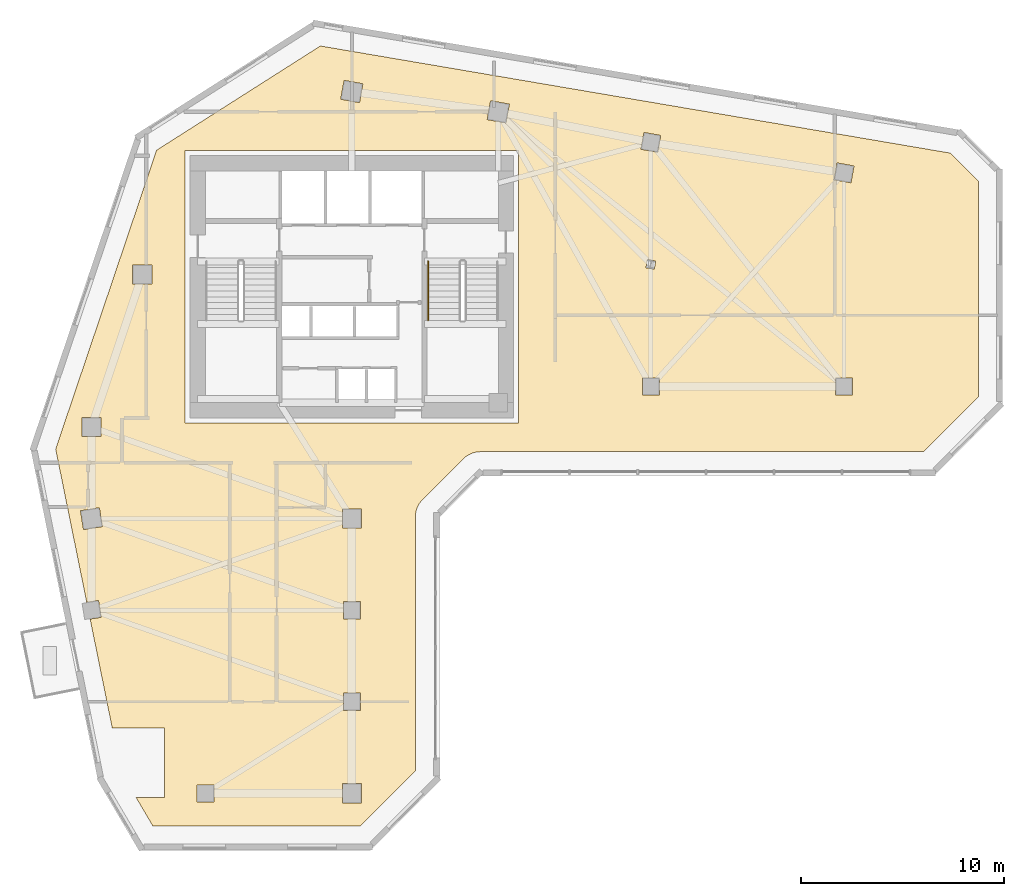
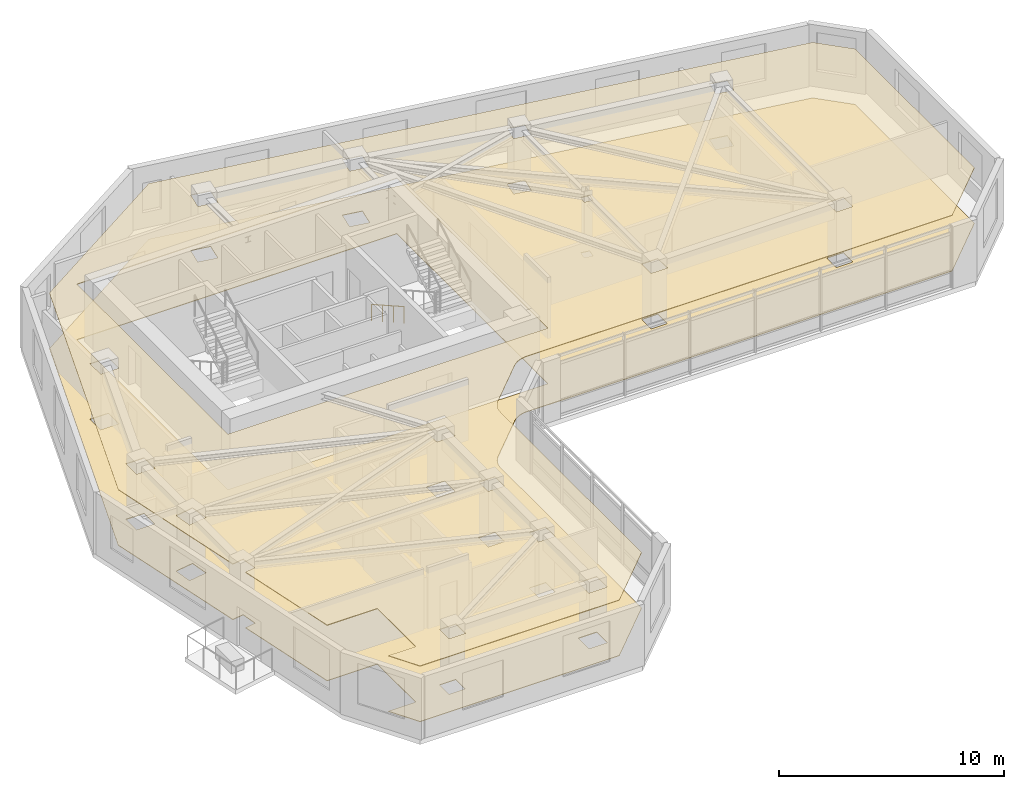
# One storey, part 9 of 10: 2 coverings, 1 railing.
"""IFC4 building model written with IfcOpenShell, lengths in metres."""

import ifcopenshell
import ifcopenshell.guid

model = None  # the IFC model being written
_history = None  # IfcOwnerHistory: only IFC2X3 demands one
_inside = {}  # id of a spatial element -> (the spatial element, [elements in it])
_under = {}  # id of a project, library or spatial element -> (it, [spatial elements below it])
_declared = {}  # id of a project -> (the project, [libraries it declares])
_typed = {}  # id of a type object -> (the type object, [elements of that type])
_made_of = {}  # id of a material, layer set ... -> (it, [elements and type objects made of it])


def new_model(schema):
    """Start an empty IFC model of exactly this schema.

    Asked for "IFC4X3", IfcOpenShell would pick the latest addendum, in which some entities
    have other attributes; the version numbers below select the first issue.
    IFC2X3 requires an IfcOwnerHistory on every rooted entity: one is made here for all.
    """
    global model, _history
    if schema == "IFC4X3":
        model = ifcopenshell.file(schema_version=(4, 3, 0, 0))
    else:
        model = ifcopenshell.file(schema=schema)
    _inside.clear()
    _under.clear()
    _declared.clear()
    _typed.clear()
    _made_of.clear()
    _history = None
    if model.schema == "IFC2X3":
        org = make("IfcOrganization", Name="unknown")
        user = make(
            "IfcPersonAndOrganization",
            ThePerson=make("IfcPerson", FamilyName="unknown"),
            TheOrganization=org,
        )
        app = make(
            "IfcApplication",
            ApplicationDeveloper=org,
            Version="unknown",
            ApplicationFullName="unknown",
            ApplicationIdentifier="unknown",
        )
        _history = make(
            "IfcOwnerHistory",
            OwningUser=user,
            OwningApplication=app,
            ChangeAction="ADDED",
            CreationDate=0,
        )
    return model


def make(cls, **values):
    """One entity of the class cls with the attributes given. An attribute that is None is left unset."""
    return model.create_entity(
        cls, **{name: value for name, value in values.items() if value is not None}
    )


def rooted(cls, **values):
    """An entity with a GlobalId (a new one), such as an element, a storey or a relation."""
    return make(cls, GlobalId=ifcopenshell.guid.new(), OwnerHistory=_history, **values)


def si_unit(unit_type, name, prefix=None):
    """IfcSIUnit, for example si_unit("LENGTHUNIT", "METRE", prefix="MILLI")."""
    return make("IfcSIUnit", UnitType=unit_type, Prefix=prefix, Name=name)


def assignment(units):
    """IfcUnitAssignment: the units of a project."""
    return None if units is None else make("IfcUnitAssignment", Units=units)


def point(xyz):
    """IfcCartesianPoint."""
    return None if xyz is None else make("IfcCartesianPoint", Coordinates=xyz)


def direction(xyz):
    """IfcDirection."""
    return None if xyz is None else make("IfcDirection", DirectionRatios=xyz)


def frame(location, z_axis=None, x_axis=None):
    """IfcAxis2Placement3D, a coordinate frame: its origin and axes. An axis left out is left unset."""
    return make(
        "IfcAxis2Placement3D",
        Location=point(location),
        Axis=direction(z_axis),
        RefDirection=direction(x_axis),
    )


def frame_2d(location, x_axis=None):
    """IfcAxis2Placement2D, a coordinate frame in the plane: its origin and x axis."""
    return make(
        "IfcAxis2Placement2D", Location=point(location), RefDirection=direction(x_axis)
    )


def origin():
    """The frame at (0, 0, 0) with its axes left unset."""
    return frame((0.0, 0.0, 0.0))


def origin_2d():
    """The frame at (0, 0) in the plane with its x axis left unset."""
    return frame_2d((0.0, 0.0))


def place(relative_to, where):
    """IfcLocalPlacement: puts the frame where relative to a parent placement (None: the world)."""
    return make(
        "IfcLocalPlacement", PlacementRelTo=relative_to, RelativePlacement=where
    )


def context(
    kind, dimensions, precision=None, world=None, true_north=None, identifier=None
):
    """IfcGeometricRepresentationContext, for example the 3D "Model" context."""
    return make(
        "IfcGeometricRepresentationContext",
        ContextIdentifier=identifier,
        ContextType=kind,
        CoordinateSpaceDimension=dimensions,
        Precision=precision,
        WorldCoordinateSystem=world,
        TrueNorth=true_north,
    )


def subcontext(parent, identifier, kind, view, scale=None):
    """IfcGeometricRepresentationSubContext, for example "Body" below "Model"."""
    return make(
        "IfcGeometricRepresentationSubContext",
        ContextIdentifier=identifier,
        ContextType=kind,
        ParentContext=parent,
        TargetScale=scale,
        TargetView=view,
    )


def project(units=None, contexts=None):
    """IfcProject with its units and contexts."""
    return rooted(
        "IfcProject",
        Name="project",
        RepresentationContexts=contexts,
        UnitsInContext=assignment(units),
    )


def spatial(cls, under=None, at=None, **own):
    """A site, building, storey or space (cls), placed at a placement, below another one or the project."""
    s = rooted(cls, ObjectPlacement=at, **own)
    if under is not None:
        _under.setdefault(under.id(), (under, []))[1].append(s)
    return s


def polyline(points):
    """IfcPolyline through the points."""
    return make("IfcPolyline", Points=[point(p) for p in points])


def profile(cls, at=None, kind="AREA", **sizes):
    """A parametric profile (cls). Its sizes go by their IFC names, for example OverallWidth=200.0."""
    return make(cls, ProfileType=kind, Position=at, **sizes)


def circle(**sizes):
    """IfcCircleProfileDef."""
    return profile("IfcCircleProfileDef", **sizes)


def outline(outer, holes=None, kind="AREA"):
    """IfcArbitraryClosedProfileDef: a profile drawn as a closed curve; with holes, ...WithVoids."""
    if holes is None:
        return make("IfcArbitraryClosedProfileDef", ProfileType=kind, OuterCurve=outer)
    return make(
        "IfcArbitraryProfileDefWithVoids",
        ProfileType=kind,
        OuterCurve=outer,
        InnerCurves=holes,
    )


def extrude(swept, where, along, depth):
    """IfcExtrudedAreaSolid: the profile swept, set in the frame where, extruded along a direction by depth."""
    return make(
        "IfcExtrudedAreaSolid",
        SweptArea=swept,
        Position=where,
        ExtrudedDirection=direction(along),
        Depth=depth,
    )


def shape(context_of_items, identifier, shape_type, items):
    """IfcShapeRepresentation: the items that make up one representation, for example the "Body"."""
    return make(
        "IfcShapeRepresentation",
        ContextOfItems=context_of_items,
        RepresentationIdentifier=identifier,
        RepresentationType=shape_type,
        Items=items,
    )


def material(Name=None, Category=None):
    """IfcMaterial."""
    return make("IfcMaterial", Name=Name, Category=Category)


def layer(
    of_material, thickness, ventilated=None, Name=None, Category=None, Priority=None
):
    """IfcMaterialLayer: one layer of a wall or slab, of a material (None: an air gap)."""
    return make(
        "IfcMaterialLayer",
        Material=of_material,
        LayerThickness=thickness,
        IsVentilated=ventilated,
        Name=Name,
        Category=Category,
        Priority=Priority,
    )


def layer_set(layers, Name=None):
    """IfcMaterialLayerSet."""
    return make("IfcMaterialLayerSet", MaterialLayers=layers, LayerSetName=Name)


def made_of(thing, what):
    """Note that an element or type object is made of a material, layer set ...; save() writes the relation."""
    if what is not None:
        _made_of.setdefault(what.id(), (what, []))[1].append(thing)
    return thing


def type_object(cls, material=None, **own):
    """A type object (cls), such as IfcWallType, which elements share."""
    return made_of(rooted(cls, **own), material)


def element(
    cls,
    number,
    at=None,
    inside=None,
    cuts=None,
    type_object=None,
    material=None,
    context=None,
    identifier="Body",
    shape_type=None,
    held_by="IfcProductDefinitionShape",
    body=None,
    shapes=None,
    **own,
):
    """One element of the class cls, such as IfcWall. Its Tag is "e" and its number.

    at: its placement. inside: the storey or other place that contains it. cuts: it is an
    opening in that element (IfcRelVoidsElement). A single representation is given by context,
    identifier, shape_type and body (its items); several are given by shapes. held_by: the class
    of the entity that holds the representations. save() writes the other relations.
    """
    e = rooted(cls, Tag="e%d" % number, ObjectPlacement=at, **own)
    if body is not None:
        shapes = [shape(context, identifier, shape_type, body)]
    if shapes is not None:
        e.Representation = make(held_by, Representations=shapes)
    if inside is not None:
        _inside.setdefault(inside.id(), (inside, []))[1].append(e)
    if cuts is not None:
        rooted(
            "IfcRelVoidsElement", RelatingBuildingElement=cuts, RelatedOpeningElement=e
        )
    if type_object is not None:
        _typed.setdefault(type_object.id(), (type_object, []))[1].append(e)
    return made_of(e, material)


def aggregate(whole, parts):
    """IfcRelAggregates: a whole, such as a stair, and the parts it consists of."""
    return rooted("IfcRelAggregates", RelatingObject=whole, RelatedObjects=parts)


def save(model, path):
    """Write the relations noted so far, then the file.

    IfcRelAggregates (storeys below a building ...), IfcRelContainedInSpatialStructure (elements
    in a storey), IfcRelDefinesByType, IfcRelAssociatesMaterial and IfcRelDeclares: one each for
    every whole, place, type object, material and project.
    """
    for whole, parts in _under.values():
        aggregate(whole, parts)
    for where, things in _inside.values():
        rooted(
            "IfcRelContainedInSpatialStructure",
            RelatedElements=things,
            RelatingStructure=where,
        )
    for kind, things in _typed.values():
        rooted("IfcRelDefinesByType", RelatedObjects=things, RelatingType=kind)
    for what, things in _made_of.values():
        rooted("IfcRelAssociatesMaterial", RelatedObjects=things, RelatingMaterial=what)
    for by, libraries in _declared.values():
        rooted("IfcRelDeclares", RelatingContext=by, RelatedDefinitions=libraries)
    model.write(path)


model = new_model("IFC4")

# Units and contexts
model_context = context("Model", 3, precision=1e-05, world=origin(), true_north=direction((0.0, 1.0)))
body_context = subcontext(model_context, "Body", "Model", "MODEL_VIEW")
ifc_project = project(units=[si_unit("LENGTHUNIT", "METRE"), si_unit("AREAUNIT", "SQUARE_METRE"), si_unit("VOLUMEUNIT", "CUBIC_METRE"), si_unit("PLANEANGLEUNIT", "RADIAN"), si_unit("MASSUNIT", "GRAM", prefix="KILO")], contexts=[model_context])

# Site, building, storey
site_placement = place(None, origin())
site = spatial("IfcSite", under=ifc_project, at=site_placement, CompositionType="ELEMENT")
building_placement = place(site_placement, origin())
building = spatial("IfcBuilding", under=site, at=building_placement, Name="Calvemar Wedge Station Tower", CompositionType="ELEMENT")
storey_placement = place(building_placement, frame((0.0, 0.0, 164.60009765625)))
storey = spatial("IfcBuildingStorey", under=building, at=storey_placement, Name="L41", CompositionType="ELEMENT", Elevation=164.60009765625)

# Coverings
ifc_material_1 = material(Name="Acoustic mineral fibre ceiling board")
ifc_layer_1 = layer(ifc_material_1, 0.0400390625)
ifc_layer_set_1 = layer_set([ifc_layer_1], Name="Acoustic mineral fibre ceiling board")
covering_type_1 = type_object("IfcCoveringType", Name="COV-CEIL-ACOUSTIC", PredefinedType="CEILING", material=ifc_layer_set_1)
covering_1_placement = place(storey_placement, frame((0.0, 0.0, 3.0)))
element("IfcCovering", 1, at=covering_1_placement, inside=storey, type_object=covering_type_1, Name="Storey L41 Acoustic Suspended Ceiling", PredefinedType="CEILING", context=body_context, shape_type="SweptSolid", body=[
    extrude(outline(polyline([(27.279541015625, 29.4404296875), (29.279541015625, 31.4404296875), (29.36669921875, 31.51953125), (29.461181640625, 31.58984375), (29.562255859375, 31.650390625), (29.668701171875, 31.70068359375), (29.77978515625, 31.740234375), (29.893798828125, 31.768798828125), (30.010498046875, 31.7861328125), (30.1279296875, 31.7919921875), (51.90283203125, 31.7919921875), (54.60009765625, 34.489013671875), (54.60009765625, 45.094970703125), (53.221923828125, 46.47314453125), (22.25439453125, 51.739501953125), (14.201416015625, 46.614990234375), (9.240234375, 31.922119140625), (10.76904296875, 24.388427734375), (11.348388671875, 24.481201171875), (11.481201171875, 23.651611328125), (10.936279296875, 23.564453125), (12.02490234375, 18.199951171875), (14.60009765625, 18.199951171875), (14.60009765625, 14.800048828125), (13.19091796875, 14.800048828125), (14.014404296875, 13.39990234375), (24.23095703125, 13.39990234375), (26.927978515625, 16.09716796875), (26.927978515625, 28.592041015625), (26.933837890625, 28.709716796875), (26.951171875, 28.826171875), (26.979736328125, 28.940185546875), (27.019287109375, 29.05126953125), (27.069580078125, 29.15771484375), (27.130126953125, 29.2587890625), (27.200439453125, 29.353271484375), (27.279541015625, 29.4404296875)]), holes=[polyline([(15.60009765625, 46.60009765625), (32.0, 46.60009765625), (32.0, 33.199951171875), (15.60009765625, 33.199951171875), (15.60009765625, 46.60009765625)]), polyline([(10.530029296875, 32.530029296875), (10.530029296875, 33.469970703125), (11.469970703125, 33.469970703125), (11.469970703125, 32.530029296875), (10.530029296875, 32.530029296875)]), polyline([(13.030029296875, 40.969970703125), (13.969970703125, 40.969970703125), (13.969970703125, 40.030029296875), (13.030029296875, 40.030029296875), (13.030029296875, 40.969970703125)]), polyline([(24.345703125, 49.87939453125), (24.17919921875, 48.9541015625), (23.254150390625, 49.12060546875), (23.420654296875, 50.0458984375), (24.345703125, 49.87939453125)]), polyline([(31.37939453125, 47.9541015625), (30.4541015625, 48.12060546875), (30.62060546875, 49.0458984375), (31.5458984375, 48.87939453125), (31.37939453125, 47.9541015625)]), polyline([(38.01220703125, 46.660888671875), (38.160888671875, 47.48779296875), (38.98779296875, 47.339111328125), (38.839111328125, 46.51220703125), (38.01220703125, 46.660888671875)]), polyline([(47.660888671875, 45.98779296875), (48.48779296875, 45.839111328125), (48.339111328125, 45.01220703125), (47.51220703125, 45.160888671875), (47.660888671875, 45.98779296875)]), polyline([(38.919921875, 35.419921875), (38.919921875, 34.580078125), (38.080078125, 34.580078125), (38.080078125, 35.419921875), (38.919921875, 35.419921875)]), polyline([(48.419921875, 34.580078125), (47.580078125, 34.580078125), (47.580078125, 35.419921875), (48.419921875, 35.419921875), (48.419921875, 34.580078125)]), polyline([(38.259765625, 40.833984375), (38.332763671875, 41.239501953125), (38.740234375, 41.166015625), (38.667236328125, 40.760498046875), (38.259765625, 40.833984375)]), polyline([(11.389892578125, 29.038330078125), (11.538330078125, 28.110107421875), (10.610107421875, 27.961669921875), (10.461669921875, 28.889892578125), (11.389892578125, 29.038330078125)]), polyline([(24.27001953125, 28.030029296875), (23.330078125, 28.030029296875), (23.330078125, 28.969970703125), (24.27001953125, 28.969970703125), (24.27001953125, 28.030029296875)]), polyline([(23.3798828125, 23.580078125), (23.3798828125, 24.419921875), (24.219970703125, 24.419921875), (24.219970703125, 23.580078125), (23.3798828125, 23.580078125)]), polyline([(23.3798828125, 19.919921875), (24.219970703125, 19.919921875), (24.219970703125, 19.080078125), (23.3798828125, 19.080078125), (23.3798828125, 19.919921875)]), polyline([(24.27001953125, 15.469970703125), (24.27001953125, 14.530029296875), (23.330078125, 14.530029296875), (23.330078125, 15.469970703125), (24.27001953125, 15.469970703125)]), polyline([(17.02001953125, 14.580078125), (16.179931640625, 14.580078125), (16.179931640625, 15.419921875), (17.02001953125, 15.419921875), (17.02001953125, 14.580078125)])]), origin(), (0.0, 0.0, 1.0), 0.039794921875),
])
ifc_material_2 = material(Name="Honed coastal granite stone tile", Category="masonry")
ifc_layer_2 = layer(ifc_material_2, 0.030029296875)
ifc_layer_set_2 = layer_set([ifc_layer_2], Name="Honed coastal granite stone tile")
covering_type_2 = type_object("IfcCoveringType", Name="COV-FLR-STONE", PredefinedType="FLOORING", material=ifc_layer_set_2)
covering_2_placement = place(storey_placement, origin())
element("IfcCovering", 2, at=covering_2_placement, inside=storey, type_object=covering_type_2, Name="Storey L41 Architectural Floor Finish", PredefinedType="FLOORING", context=body_context, shape_type="SweptSolid", body=[
    extrude(outline(polyline([(27.279541015625, 29.4404296875), (29.279541015625, 31.4404296875), (29.36669921875, 31.51953125), (29.461181640625, 31.58984375), (29.562255859375, 31.650390625), (29.668701171875, 31.70068359375), (29.77978515625, 31.740234375), (29.893798828125, 31.768798828125), (30.010498046875, 31.7861328125), (30.1279296875, 31.7919921875), (51.90283203125, 31.7919921875), (54.60009765625, 34.489013671875), (54.60009765625, 45.094970703125), (53.221923828125, 46.47314453125), (22.25439453125, 51.739501953125), (14.201416015625, 46.614990234375), (9.240234375, 31.922119140625), (10.76904296875, 24.388427734375), (11.348388671875, 24.481201171875), (11.481201171875, 23.651611328125), (10.936279296875, 23.564453125), (12.02490234375, 18.199951171875), (14.60009765625, 18.199951171875), (14.60009765625, 14.800048828125), (13.19091796875, 14.800048828125), (14.014404296875, 13.39990234375), (24.23095703125, 13.39990234375), (26.927978515625, 16.09716796875), (26.927978515625, 28.592041015625), (26.933837890625, 28.709716796875), (26.951171875, 28.826171875), (26.979736328125, 28.940185546875), (27.019287109375, 29.05126953125), (27.069580078125, 29.15771484375), (27.130126953125, 29.2587890625), (27.200439453125, 29.353271484375), (27.279541015625, 29.4404296875)]), holes=[polyline([(15.60009765625, 46.60009765625), (32.0, 46.60009765625), (32.0, 33.199951171875), (15.60009765625, 33.199951171875), (15.60009765625, 46.60009765625)]), polyline([(10.530029296875, 32.530029296875), (10.530029296875, 33.469970703125), (11.469970703125, 33.469970703125), (11.469970703125, 32.530029296875), (10.530029296875, 32.530029296875)]), polyline([(13.030029296875, 40.969970703125), (13.969970703125, 40.969970703125), (13.969970703125, 40.030029296875), (13.030029296875, 40.030029296875), (13.030029296875, 40.969970703125)]), polyline([(24.345703125, 49.87939453125), (24.17919921875, 48.9541015625), (23.254150390625, 49.12060546875), (23.420654296875, 50.0458984375), (24.345703125, 49.87939453125)]), polyline([(31.37939453125, 47.9541015625), (30.4541015625, 48.12060546875), (30.62060546875, 49.0458984375), (31.5458984375, 48.87939453125), (31.37939453125, 47.9541015625)]), polyline([(38.01220703125, 46.660888671875), (38.160888671875, 47.48779296875), (38.98779296875, 47.339111328125), (38.839111328125, 46.51220703125), (38.01220703125, 46.660888671875)]), polyline([(47.660888671875, 45.98779296875), (48.48779296875, 45.839111328125), (48.339111328125, 45.01220703125), (47.51220703125, 45.160888671875), (47.660888671875, 45.98779296875)]), polyline([(38.919921875, 35.419921875), (38.919921875, 34.580078125), (38.080078125, 34.580078125), (38.080078125, 35.419921875), (38.919921875, 35.419921875)]), polyline([(48.419921875, 34.580078125), (47.580078125, 34.580078125), (47.580078125, 35.419921875), (48.419921875, 35.419921875), (48.419921875, 34.580078125)]), polyline([(38.259765625, 40.833984375), (38.332763671875, 41.239501953125), (38.740234375, 41.166015625), (38.667236328125, 40.760498046875), (38.259765625, 40.833984375)]), polyline([(11.389892578125, 29.038330078125), (11.538330078125, 28.110107421875), (10.610107421875, 27.961669921875), (10.461669921875, 28.889892578125), (11.389892578125, 29.038330078125)]), polyline([(24.27001953125, 28.030029296875), (23.330078125, 28.030029296875), (23.330078125, 28.969970703125), (24.27001953125, 28.969970703125), (24.27001953125, 28.030029296875)]), polyline([(23.3798828125, 23.580078125), (23.3798828125, 24.419921875), (24.219970703125, 24.419921875), (24.219970703125, 23.580078125), (23.3798828125, 23.580078125)]), polyline([(23.3798828125, 19.919921875), (24.219970703125, 19.919921875), (24.219970703125, 19.080078125), (23.3798828125, 19.080078125), (23.3798828125, 19.919921875)]), polyline([(24.27001953125, 15.469970703125), (24.27001953125, 14.530029296875), (23.330078125, 14.530029296875), (23.330078125, 15.469970703125), (24.27001953125, 15.469970703125)]), polyline([(17.02001953125, 14.580078125), (16.179931640625, 14.580078125), (16.179931640625, 15.419921875), (17.02001953125, 15.419921875), (17.02001953125, 14.580078125)])]), origin(), (0.0, 0.0, 1.0), 0.02978515625),
])

# Railing
ifc_material_3 = material(Name="Stainless steel AISI 316L", Category="steel")
railing_type = type_object("IfcRailingType", Name="RL-HANDRAIL-920", PredefinedType="HANDRAIL", material=ifc_material_3)
railing_placement = place(storey_placement, frame((27.550048828125, 41.14990234375, 0.16357421875)))
element("IfcRailing", 3, at=railing_placement, inside=storey, type_object=railing_type, Name="L41 ST-C2 stair handrail 1", PredefinedType="HANDRAIL", context=body_context, shape_type="SweptSolid", body=[
    extrude(circle(Radius=0.02392578125, at=origin_2d()), frame((0.0, 0.0, 0.89599609375), z_axis=(0.0, -0.870928581787, 0.491409610636), x_axis=(1.0, 0.0, 0.0)), (0.0, 0.0, 1.0), 3.32958984375),
    extrude(circle(Radius=0.02099609375, at=origin_2d()), origin(), (0.0, 0.0, 1.0), 0.871826171875),
    extrude(circle(Radius=0.02099609375, at=origin_2d()), frame((0.0, -0.966552734375, 0.54541015625)), (0.0, 0.0, 1.0), 0.871826171875),
    extrude(circle(Radius=0.02099609375, at=origin_2d()), frame((0.0, -1.933349609375, 1.0908203125)), (0.0, 0.0, 1.0), 0.871826171875),
    extrude(circle(Radius=0.02099609375, at=origin_2d()), frame((0.0, -2.89990234375, 1.63623046875)), (0.0, 0.0, 1.0), 0.871826171875),
])

save(model, "model.ifc")
